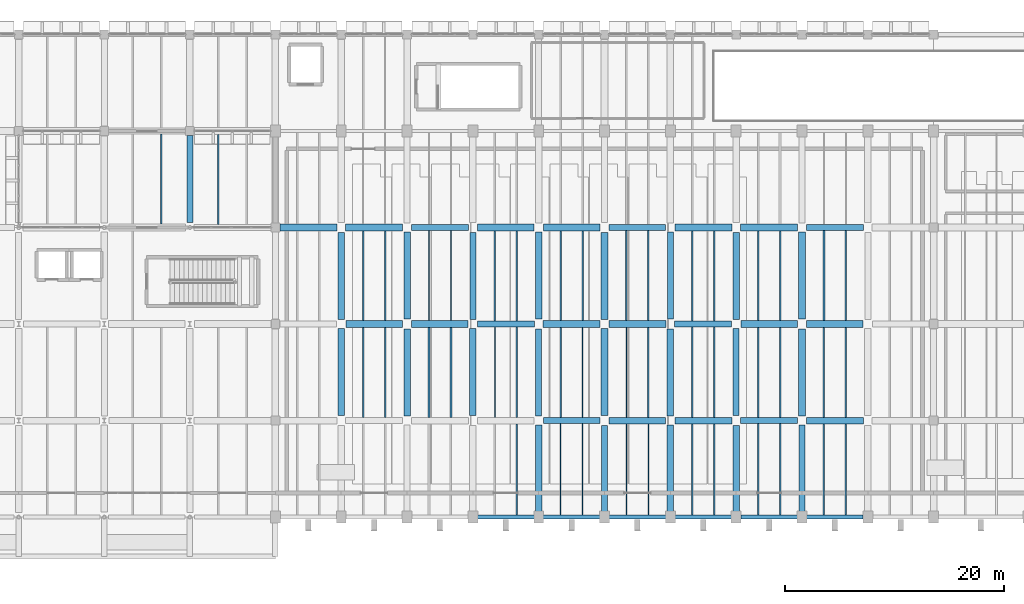
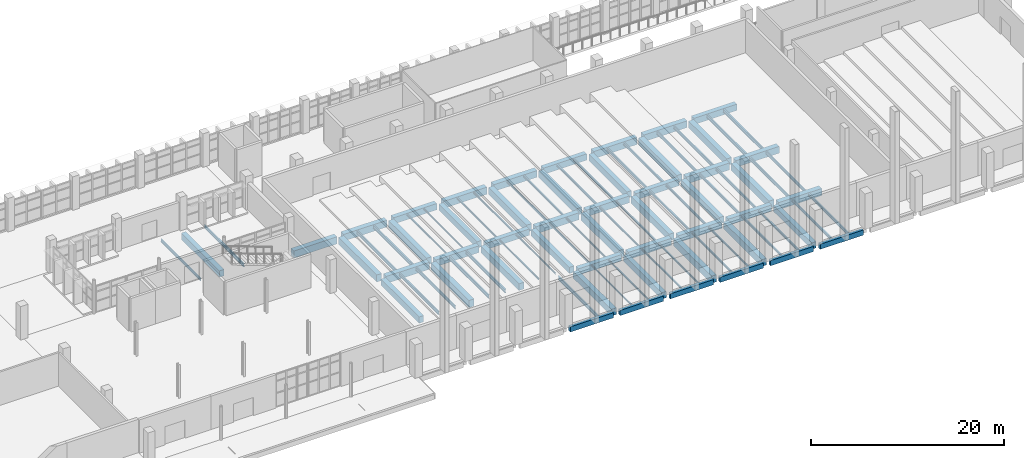
# One storey, part 27 of 76: 95 beams.
"""IFC4 building model written with IfcOpenShell, lengths in metres."""

import ifcopenshell
import ifcopenshell.guid

model = None  # the IFC model being written
_history = None  # IfcOwnerHistory: only IFC2X3 demands one
_inside = {}  # id of a spatial element -> (the spatial element, [elements in it])
_under = {}  # id of a project, library or spatial element -> (it, [spatial elements below it])
_declared = {}  # id of a project -> (the project, [libraries it declares])
_typed = {}  # id of a type object -> (the type object, [elements of that type])
_made_of = {}  # id of a material, layer set ... -> (it, [elements and type objects made of it])


def new_model(schema):
    """Start an empty IFC model of exactly this schema.

    Asked for "IFC4X3", IfcOpenShell would pick the latest addendum, in which some entities
    have other attributes; the version numbers below select the first issue.
    IFC2X3 requires an IfcOwnerHistory on every rooted entity: one is made here for all.
    """
    global model, _history
    if schema == "IFC4X3":
        model = ifcopenshell.file(schema_version=(4, 3, 0, 0))
    else:
        model = ifcopenshell.file(schema=schema)
    _inside.clear()
    _under.clear()
    _declared.clear()
    _typed.clear()
    _made_of.clear()
    _history = None
    if model.schema == "IFC2X3":
        org = make("IfcOrganization", Name="unknown")
        user = make(
            "IfcPersonAndOrganization",
            ThePerson=make("IfcPerson", FamilyName="unknown"),
            TheOrganization=org,
        )
        app = make(
            "IfcApplication",
            ApplicationDeveloper=org,
            Version="unknown",
            ApplicationFullName="unknown",
            ApplicationIdentifier="unknown",
        )
        _history = make(
            "IfcOwnerHistory",
            OwningUser=user,
            OwningApplication=app,
            ChangeAction="ADDED",
            CreationDate=0,
        )
    return model


def make(cls, **values):
    """One entity of the class cls with the attributes given. An attribute that is None is left unset."""
    return model.create_entity(
        cls, **{name: value for name, value in values.items() if value is not None}
    )


def rooted(cls, **values):
    """An entity with a GlobalId (a new one), such as an element, a storey or a relation."""
    return make(cls, GlobalId=ifcopenshell.guid.new(), OwnerHistory=_history, **values)


def si_unit(unit_type, name, prefix=None):
    """IfcSIUnit, for example si_unit("LENGTHUNIT", "METRE", prefix="MILLI")."""
    return make("IfcSIUnit", UnitType=unit_type, Prefix=prefix, Name=name)


def assignment(units):
    """IfcUnitAssignment: the units of a project."""
    return None if units is None else make("IfcUnitAssignment", Units=units)


def point(xyz):
    """IfcCartesianPoint."""
    return None if xyz is None else make("IfcCartesianPoint", Coordinates=xyz)


def direction(xyz):
    """IfcDirection."""
    return None if xyz is None else make("IfcDirection", DirectionRatios=xyz)


def frame(location, z_axis=None, x_axis=None):
    """IfcAxis2Placement3D, a coordinate frame: its origin and axes. An axis left out is left unset."""
    return make(
        "IfcAxis2Placement3D",
        Location=point(location),
        Axis=direction(z_axis),
        RefDirection=direction(x_axis),
    )


def frame_2d(location, x_axis=None):
    """IfcAxis2Placement2D, a coordinate frame in the plane: its origin and x axis."""
    return make(
        "IfcAxis2Placement2D", Location=point(location), RefDirection=direction(x_axis)
    )


def origin():
    """The frame at (0, 0, 0) with its axes left unset."""
    return frame((0.0, 0.0, 0.0))


def origin_2d():
    """The frame at (0, 0) in the plane with its x axis left unset."""
    return frame_2d((0.0, 0.0))


def place(relative_to, where):
    """IfcLocalPlacement: puts the frame where relative to a parent placement (None: the world)."""
    return make(
        "IfcLocalPlacement", PlacementRelTo=relative_to, RelativePlacement=where
    )


def context(
    kind, dimensions, precision=None, world=None, true_north=None, identifier=None
):
    """IfcGeometricRepresentationContext, for example the 3D "Model" context."""
    return make(
        "IfcGeometricRepresentationContext",
        ContextIdentifier=identifier,
        ContextType=kind,
        CoordinateSpaceDimension=dimensions,
        Precision=precision,
        WorldCoordinateSystem=world,
        TrueNorth=true_north,
    )


def subcontext(parent, identifier, kind, view, scale=None):
    """IfcGeometricRepresentationSubContext, for example "Body" below "Model"."""
    return make(
        "IfcGeometricRepresentationSubContext",
        ContextIdentifier=identifier,
        ContextType=kind,
        ParentContext=parent,
        TargetScale=scale,
        TargetView=view,
    )


def project(units=None, contexts=None):
    """IfcProject with its units and contexts."""
    return rooted(
        "IfcProject",
        Name="project",
        RepresentationContexts=contexts,
        UnitsInContext=assignment(units),
    )


def spatial(cls, under=None, at=None, **own):
    """A site, building, storey or space (cls), placed at a placement, below another one or the project."""
    s = rooted(cls, ObjectPlacement=at, **own)
    if under is not None:
        _under.setdefault(under.id(), (under, []))[1].append(s)
    return s


def profile(cls, at=None, kind="AREA", **sizes):
    """A parametric profile (cls). Its sizes go by their IFC names, for example OverallWidth=200.0."""
    return make(cls, ProfileType=kind, Position=at, **sizes)


def rectangle(**sizes):
    """IfcRectangleProfileDef."""
    return profile("IfcRectangleProfileDef", **sizes)


def i_section(**sizes):
    """IfcIShapeProfileDef."""
    return profile("IfcIShapeProfileDef", **sizes)


def extrude(swept, where, along, depth):
    """IfcExtrudedAreaSolid: the profile swept, set in the frame where, extruded along a direction by depth."""
    return make(
        "IfcExtrudedAreaSolid",
        SweptArea=swept,
        Position=where,
        ExtrudedDirection=direction(along),
        Depth=depth,
    )


def shape(context_of_items, identifier, shape_type, items):
    """IfcShapeRepresentation: the items that make up one representation, for example the "Body"."""
    return make(
        "IfcShapeRepresentation",
        ContextOfItems=context_of_items,
        RepresentationIdentifier=identifier,
        RepresentationType=shape_type,
        Items=items,
    )


def material(Name=None, Category=None):
    """IfcMaterial."""
    return make("IfcMaterial", Name=Name, Category=Category)


def material_profile(
    of_material, cross_section, Name=None, Category=None, Priority=None
):
    """IfcMaterialProfile: a cross section and its material."""
    return make(
        "IfcMaterialProfile",
        Name=Name,
        Material=of_material,
        Profile=cross_section,
        Priority=Priority,
        Category=Category,
    )


def profile_set(profiles, Name=None, composite=None):
    """IfcMaterialProfileSet."""
    return make(
        "IfcMaterialProfileSet",
        Name=Name,
        MaterialProfiles=profiles,
        CompositeProfile=composite,
    )


def made_of(thing, what):
    """Note that an element or type object is made of a material, layer set ...; save() writes the relation."""
    if what is not None:
        _made_of.setdefault(what.id(), (what, []))[1].append(thing)
    return thing


def type_object(cls, material=None, **own):
    """A type object (cls), such as IfcWallType, which elements share."""
    return made_of(rooted(cls, **own), material)


def element(
    cls,
    number,
    at=None,
    inside=None,
    cuts=None,
    type_object=None,
    material=None,
    context=None,
    identifier="Body",
    shape_type=None,
    held_by="IfcProductDefinitionShape",
    body=None,
    shapes=None,
    **own,
):
    """One element of the class cls, such as IfcWall. Its Tag is "e" and its number.

    at: its placement. inside: the storey or other place that contains it. cuts: it is an
    opening in that element (IfcRelVoidsElement). A single representation is given by context,
    identifier, shape_type and body (its items); several are given by shapes. held_by: the class
    of the entity that holds the representations. save() writes the other relations.
    """
    e = rooted(cls, Tag="e%d" % number, ObjectPlacement=at, **own)
    if body is not None:
        shapes = [shape(context, identifier, shape_type, body)]
    if shapes is not None:
        e.Representation = make(held_by, Representations=shapes)
    if inside is not None:
        _inside.setdefault(inside.id(), (inside, []))[1].append(e)
    if cuts is not None:
        rooted(
            "IfcRelVoidsElement", RelatingBuildingElement=cuts, RelatedOpeningElement=e
        )
    if type_object is not None:
        _typed.setdefault(type_object.id(), (type_object, []))[1].append(e)
    return made_of(e, material)


def aggregate(whole, parts):
    """IfcRelAggregates: a whole, such as a stair, and the parts it consists of."""
    return rooted("IfcRelAggregates", RelatingObject=whole, RelatedObjects=parts)


def save(model, path):
    """Write the relations noted so far, then the file.

    IfcRelAggregates (storeys below a building ...), IfcRelContainedInSpatialStructure (elements
    in a storey), IfcRelDefinesByType, IfcRelAssociatesMaterial and IfcRelDeclares: one each for
    every whole, place, type object, material and project.
    """
    for whole, parts in _under.values():
        aggregate(whole, parts)
    for where, things in _inside.values():
        rooted(
            "IfcRelContainedInSpatialStructure",
            RelatedElements=things,
            RelatingStructure=where,
        )
    for kind, things in _typed.values():
        rooted("IfcRelDefinesByType", RelatedObjects=things, RelatingType=kind)
    for what, things in _made_of.values():
        rooted("IfcRelAssociatesMaterial", RelatedObjects=things, RelatingMaterial=what)
    for by, libraries in _declared.values():
        rooted("IfcRelDeclares", RelatingContext=by, RelatedDefinitions=libraries)
    model.write(path)


model = new_model("IFC4")

# Units and contexts
model_context = context("Model", 3, precision=1e-05, world=origin(), true_north=direction((0.0, 1.0)))
body_context = subcontext(model_context, "Body", "Model", "MODEL_VIEW")
ifc_project = project(units=[si_unit("LENGTHUNIT", "METRE"), si_unit("AREAUNIT", "SQUARE_METRE"), si_unit("VOLUMEUNIT", "CUBIC_METRE"), si_unit("PLANEANGLEUNIT", "RADIAN"), si_unit("MASSUNIT", "GRAM", prefix="KILO")], contexts=[model_context])

# Site, building, storey
site_placement = place(None, origin())
site = spatial("IfcSite", under=ifc_project, at=site_placement, CompositionType="ELEMENT")
building_placement = place(site_placement, origin())
building = spatial("IfcBuilding", under=site, at=building_placement, Name="Varnakota Cinema and Media Centre", CompositionType="ELEMENT")
storey_placement = place(building_placement, origin())
storey = spatial("IfcBuildingStorey", under=building, at=storey_placement, Name="L00", CompositionType="ELEMENT", Elevation=0.0)

# Beams
ifc_material_1 = material(Name="Concrete M35", Category="concrete")
ifc_material_profile_1 = material_profile(ifc_material_1, rectangle(XDim=0.550048828125, YDim=0.800048828125, at=origin_2d()), Name="RCB 550x800")
ifc_profile_set_1 = profile_set([ifc_material_profile_1], Name="Concrete M35")
beam_type_1 = type_object("IfcBeamType", Name="BM-RC-550x800", PredefinedType="BEAM", material=ifc_profile_set_1)
for number, where, z_axis, x_axis, name in (
    (1, (99.425048828125, 8.800048828125, -0.679931640625), (1.0, 0.0, 0.0), (0.0, 1.0, 0.0), "L00 girder P-Q/2"),
    (2, (117.39990234375, 8.800048828125, -0.679931640625), (1.0, 0.0, 0.0), (0.0, 1.0, 0.0), "L00 girder S-T/2"),
    (3, (93.425048828125, 17.60009765625, -0.679931640625), (1.0, 0.0, 0.0), (0.0, 1.0, 0.0), "L00 girder N-P/3"),
    (4, (111.39990234375, 17.60009765625, -0.679931640625), (1.0, 0.0, 0.0), (0.0, 1.0, 0.0), "L00 girder R-S/3"),
    (5, (87.425048828125, 26.39990234375, -0.679931640625), (1.0, 0.0, 0.0), (0.0, 1.0, 0.0), "L00 girder M-N/4"),
    (6, (105.39990234375, 26.39990234375, -0.679931640625), (1.0, 0.0, 0.0), (0.0, 1.0, 0.0), "L00 girder Q-R/4"),
    (7, (123.425048828125, 26.39990234375, -0.679931640625), (1.0, 0.0, 0.0), (0.0, 1.0, 0.0), "L00 girder T-U/4"),
):
    element("IfcBeam", number, at=place(storey_placement, frame(where, z_axis=z_axis, x_axis=x_axis)), inside=storey, type_object=beam_type_1, Name=name, PredefinedType="BEAM", context=body_context, shape_type="SweptSolid", body=[
        extrude(rectangle(XDim=0.550048828125, YDim=0.800048828125, at=origin_2d()), origin(), (0.0, 0.0, 1.0), 5.175048828125),
    ])
beam_1_placement = place(storey_placement, frame((67.199951171875, 26.85009765625, -0.679931640625), z_axis=(0.0, 1.0, 0.0), x_axis=(-1.0, 0.0, 0.0)))
element("IfcBeam", 8, at=beam_1_placement, inside=storey, type_object=beam_type_1, Name="L00 girder J/4-5", PredefinedType="BEAM", context=body_context, shape_type="SweptSolid", body=[
    extrude(rectangle(XDim=0.550048828125, YDim=0.800048828125, at=origin_2d()), origin(), (0.0, 0.0, 1.0), 7.9248046875),
])
for number, where, z_axis, x_axis, name in (
    (9, (81.0, 9.25, -0.679931640625), (0.0, 1.0, 0.0), (-1.0, 0.0, 0.0), "L00 girder L/2-3"),
    (10, (93.0, 18.02490234375, -0.679931640625), (0.0, 1.0, 0.0), (-1.0, 0.0, 0.0), "L00 girder N/3-4"),
):
    element("IfcBeam", number, at=place(storey_placement, frame(where, z_axis=z_axis, x_axis=x_axis)), inside=storey, type_object=beam_type_1, Name=name, PredefinedType="BEAM", context=body_context, shape_type="SweptSolid", body=[
        extrude(rectangle(XDim=0.550048828125, YDim=0.800048828125, at=origin_2d()), origin(), (0.0, 0.0, 1.0), 7.925048828125),
    ])
beam_2_placement = place(storey_placement, frame((99.0, 9.22509765625, -0.679931640625), z_axis=(0.0, 1.0, 0.0), x_axis=(-1.0, 0.0, 0.0)))
element("IfcBeam", 11, at=beam_2_placement, inside=storey, type_object=beam_type_1, Name="L00 girder P/2-3", PredefinedType="BEAM", context=body_context, shape_type="SweptSolid", body=[
    extrude(rectangle(XDim=0.550048828125, YDim=0.800048828125, at=origin_2d()), origin(), (0.0, 0.0, 1.0), 7.9248046875),
])
for number, where, z_axis, x_axis, name in (
    (12, (105.0, 0.425048828125, -0.679931640625), (0.0, 1.0, 0.0), (-1.0, 0.0, 0.0), "L00 girder Q/1-2"),
    (13, (111.0, 18.050048828125, -0.679931640625), (0.0, 1.0, 0.0), (-1.0, 0.0, 0.0), "L00 girder R/3-4"),
    (14, (117.0, 9.25, -0.679931640625), (0.0, 1.0, 0.0), (-1.0, 0.0, 0.0), "L00 girder S/2-3"),
    (15, (123.0, 0.449951171875, -0.679931640625), (0.0, 1.0, 0.0), (-1.0, 0.0, 0.0), "L00 girder T/1-2"),
):
    element("IfcBeam", number, at=place(storey_placement, frame(where, z_axis=z_axis, x_axis=x_axis)), inside=storey, type_object=beam_type_1, Name=name, PredefinedType="BEAM", context=body_context, shape_type="SweptSolid", body=[
        extrude(rectangle(XDim=0.550048828125, YDim=0.800048828125, at=origin_2d()), origin(), (0.0, 0.0, 1.0), 7.925048828125),
    ])
ifc_material_2 = material(Name="Concrete M35", Category="concrete")
ifc_material_profile_2 = material_profile(ifc_material_2, rectangle(XDim=0.60009765625, YDim=0.85009765625, at=origin_2d()), Name="RCB 600x850")
ifc_profile_set_2 = profile_set([ifc_material_profile_2], Name="Concrete M35")
beam_type_2 = type_object("IfcBeamType", Name="BM-RC-600x850", PredefinedType="BEAM", material=ifc_profile_set_2)
for number, where, z_axis, x_axis, name in (
    (16, (111.425048828125, 8.800048828125, -0.705078125), (1.0, 0.0, 0.0), (0.0, 1.0, 0.0), "L00 girder R-S/2"),
    (17, (87.39990234375, 17.60009765625, -0.705078125), (1.0, 0.0, 0.0), (0.0, 1.0, 0.0), "L00 girder M-N/3"),
    (18, (105.425048828125, 17.60009765625, -0.705078125), (1.0, 0.0, 0.0), (0.0, 1.0, 0.0), "L00 girder Q-R/3"),
    (19, (123.39990234375, 17.60009765625, -0.705078125), (1.0, 0.0, 0.0), (0.0, 1.0, 0.0), "L00 girder T-U/3"),
    (20, (81.39990234375, 26.39990234375, -0.705078125), (1.0, 0.0, 0.0), (0.0, 1.0, 0.0), "L00 girder L-M/4"),
    (21, (99.425048828125, 26.39990234375, -0.705078125), (1.0, 0.0, 0.0), (0.0, 1.0, 0.0), "L00 girder P-Q/4"),
    (22, (117.39990234375, 26.39990234375, -0.705078125), (1.0, 0.0, 0.0), (0.0, 1.0, 0.0), "L00 girder S-T/4"),
):
    element("IfcBeam", number, at=place(storey_placement, frame(where, z_axis=z_axis, x_axis=x_axis)), inside=storey, type_object=beam_type_2, Name=name, PredefinedType="BEAM", context=body_context, shape_type="SweptSolid", body=[
        extrude(rectangle(XDim=0.60009765625, YDim=0.85009765625, at=origin_2d()), origin(), (0.0, 0.0, 1.0), 5.175048828125),
    ])
for number, where, z_axis, x_axis, name in (
    (23, (87.0, 18.050048828125, -0.705078125), (0.0, 1.0, 0.0), (-1.0, 0.0, 0.0), "L00 girder M/3-4"),
    (24, (93.0, 9.25, -0.705078125), (0.0, 1.0, 0.0), (-1.0, 0.0, 0.0), "L00 girder N/2-3"),
    (25, (99.0, 0.449951171875, -0.705078125), (0.0, 1.0, 0.0), (-1.0, 0.0, 0.0), "L00 girder P/1-2"),
    (26, (105.0, 18.02490234375, -0.705078125), (0.0, 1.0, 0.0), (-1.0, 0.0, 0.0), "L00 girder Q/3-4"),
):
    element("IfcBeam", number, at=place(storey_placement, frame(where, z_axis=z_axis, x_axis=x_axis)), inside=storey, type_object=beam_type_2, Name=name, PredefinedType="BEAM", context=body_context, shape_type="SweptSolid", body=[
        extrude(rectangle(XDim=0.60009765625, YDim=0.85009765625, at=origin_2d()), origin(), (0.0, 0.0, 1.0), 7.925048828125),
    ])
beam_3_placement = place(storey_placement, frame((111.0, 9.22509765625, -0.705078125), z_axis=(0.0, 1.0, 0.0), x_axis=(-1.0, 0.0, 0.0)))
element("IfcBeam", 27, at=beam_3_placement, inside=storey, type_object=beam_type_2, Name="L00 girder R/2-3", PredefinedType="BEAM", context=body_context, shape_type="SweptSolid", body=[
    extrude(rectangle(XDim=0.60009765625, YDim=0.85009765625, at=origin_2d()), origin(), (0.0, 0.0, 1.0), 7.9248046875),
])
for number, where, z_axis, x_axis, name in (
    (28, (117.0, 0.425048828125, -0.705078125), (0.0, 1.0, 0.0), (-1.0, 0.0, 0.0), "L00 girder S/1-2"),
    (29, (123.0, 18.050048828125, -0.705078125), (0.0, 1.0, 0.0), (-1.0, 0.0, 0.0), "L00 girder T/3-4"),
):
    element("IfcBeam", number, at=place(storey_placement, frame(where, z_axis=z_axis, x_axis=x_axis)), inside=storey, type_object=beam_type_2, Name=name, PredefinedType="BEAM", context=body_context, shape_type="SweptSolid", body=[
        extrude(rectangle(XDim=0.60009765625, YDim=0.85009765625, at=origin_2d()), origin(), (0.0, 0.0, 1.0), 7.925048828125),
    ])
ifc_material_3 = material(Name="Concrete M40", Category="concrete")
ifc_material_profile_3 = material_profile(ifc_material_3, rectangle(XDim=0.60009765625, YDim=0.89990234375, at=origin_2d()), Name="RCB 600x900")
ifc_profile_set_3 = profile_set([ifc_material_profile_3], Name="Concrete M40")
beam_type_3 = type_object("IfcBeamType", Name="BM-RC-600x900", PredefinedType="BEAM", material=ifc_profile_set_3)
for number, where, z_axis, x_axis, name in (
    (30, (105.39990234375, 8.800048828125, -0.72998046875), (1.0, 0.0, 0.0), (0.0, 1.0, 0.0), "L00 girder Q-R/2"),
    (31, (123.425048828125, 8.800048828125, -0.72998046875), (1.0, 0.0, 0.0), (0.0, 1.0, 0.0), "L00 girder T-U/2"),
    (32, (81.425048828125, 17.60009765625, -0.72998046875), (1.0, 0.0, 0.0), (0.0, 1.0, 0.0), "L00 girder L-M/3"),
    (33, (99.39990234375, 17.60009765625, -0.72998046875), (1.0, 0.0, 0.0), (0.0, 1.0, 0.0), "L00 girder P-Q/3"),
    (34, (117.425048828125, 17.60009765625, -0.72998046875), (1.0, 0.0, 0.0), (0.0, 1.0, 0.0), "L00 girder S-T/3"),
    (35, (75.425048828125, 26.39990234375, -0.72998046875), (1.0, 0.0, 0.0), (0.0, 1.0, 0.0), "L00 girder K-L/4"),
    (36, (93.39990234375, 26.39990234375, -0.72998046875), (1.0, 0.0, 0.0), (0.0, 1.0, 0.0), "L00 girder N-P/4"),
    (37, (111.425048828125, 26.39990234375, -0.72998046875), (1.0, 0.0, 0.0), (0.0, 1.0, 0.0), "L00 girder R-S/4"),
):
    element("IfcBeam", number, at=place(storey_placement, frame(where, z_axis=z_axis, x_axis=x_axis)), inside=storey, type_object=beam_type_3, Name=name, PredefinedType="BEAM", context=body_context, shape_type="SweptSolid", body=[
        extrude(rectangle(XDim=0.60009765625, YDim=0.89990234375, at=origin_2d()), origin(), (0.0, 0.0, 1.0), 5.175048828125),
    ])
beam_4_placement = place(storey_placement, frame((81.0, 18.02490234375, -0.72998046875), z_axis=(0.0, 1.0, 0.0), x_axis=(-1.0, 0.0, 0.0)))
element("IfcBeam", 38, at=beam_4_placement, inside=storey, type_object=beam_type_3, Name="L00 girder L/3-4", PredefinedType="BEAM", context=body_context, shape_type="SweptSolid", body=[
    extrude(rectangle(XDim=0.60009765625, YDim=0.89990234375, at=origin_2d()), origin(), (0.0, 0.0, 1.0), 7.925048828125),
])
beam_5_placement = place(storey_placement, frame((87.0, 9.22509765625, -0.72998046875), z_axis=(0.0, 1.0, 0.0), x_axis=(-1.0, 0.0, 0.0)))
element("IfcBeam", 39, at=beam_5_placement, inside=storey, type_object=beam_type_3, Name="L00 girder M/2-3", PredefinedType="BEAM", context=body_context, shape_type="SweptSolid", body=[
    extrude(rectangle(XDim=0.60009765625, YDim=0.89990234375, at=origin_2d()), origin(), (0.0, 0.0, 1.0), 7.9248046875),
])
for number, where, z_axis, x_axis, name in (
    (40, (99.0, 18.050048828125, -0.72998046875), (0.0, 1.0, 0.0), (-1.0, 0.0, 0.0), "L00 girder P/3-4"),
    (41, (105.0, 9.25, -0.72998046875), (0.0, 1.0, 0.0), (-1.0, 0.0, 0.0), "L00 girder Q/2-3"),
    (42, (111.0, 0.449951171875, -0.72998046875), (0.0, 1.0, 0.0), (-1.0, 0.0, 0.0), "L00 girder R/1-2"),
    (43, (117.0, 18.02490234375, -0.72998046875), (0.0, 1.0, 0.0), (-1.0, 0.0, 0.0), "L00 girder S/3-4"),
):
    element("IfcBeam", number, at=place(storey_placement, frame(where, z_axis=z_axis, x_axis=x_axis)), inside=storey, type_object=beam_type_3, Name=name, PredefinedType="BEAM", context=body_context, shape_type="SweptSolid", body=[
        extrude(rectangle(XDim=0.60009765625, YDim=0.89990234375, at=origin_2d()), origin(), (0.0, 0.0, 1.0), 7.925048828125),
    ])
beam_6_placement = place(storey_placement, frame((123.0, 9.22509765625, -0.72998046875), z_axis=(0.0, 1.0, 0.0), x_axis=(-1.0, 0.0, 0.0)))
element("IfcBeam", 44, at=beam_6_placement, inside=storey, type_object=beam_type_3, Name="L00 girder T/2-3", PredefinedType="BEAM", context=body_context, shape_type="SweptSolid", body=[
    extrude(rectangle(XDim=0.60009765625, YDim=0.89990234375, at=origin_2d()), origin(), (0.0, 0.0, 1.0), 7.9248046875),
])
ifc_material_4 = material(Name="Concrete M40", Category="concrete")
ifc_material_profile_4 = material_profile(ifc_material_4, rectangle(XDim=0.35009765625, YDim=0.64990234375, at=origin_2d()), Name="RCB 350x650")
ifc_profile_set_4 = profile_set([ifc_material_profile_4], Name="Concrete M40")
beam_type_4 = type_object("IfcBeamType", Name="BM-SP-350x650", PredefinedType="SPANDREL", material=ifc_profile_set_4)
for number, where, z_axis, x_axis, name in (
    (45, (93.425048828125, 0.0, -0.60498046875), (1.0, 0.0, 0.0), (0.0, 1.0, 0.0), "L00 girder N-P/1"),
    (46, (99.39990234375, 0.0, -0.60498046875), (1.0, 0.0, 0.0), (0.0, 1.0, 0.0), "L00 girder P-Q/1"),
    (47, (105.425048828125, 0.0, -0.60498046875), (1.0, 0.0, 0.0), (0.0, 1.0, 0.0), "L00 girder Q-R/1"),
    (48, (111.39990234375, 0.0, -0.60498046875), (1.0, 0.0, 0.0), (0.0, 1.0, 0.0), "L00 girder R-S/1"),
    (49, (117.425048828125, 0.0, -0.60498046875), (1.0, 0.0, 0.0), (0.0, 1.0, 0.0), "L00 girder S-T/1"),
    (50, (123.39990234375, 0.0, -0.60498046875), (1.0, 0.0, 0.0), (0.0, 1.0, 0.0), "L00 girder T-U/1"),
):
    element("IfcBeam", number, at=place(storey_placement, frame(where, z_axis=z_axis, x_axis=x_axis)), inside=storey, type_object=beam_type_4, Name=name, PredefinedType="SPANDREL", context=body_context, shape_type="SweptSolid", body=[
        extrude(rectangle(XDim=0.35009765625, YDim=0.64990234375, at=origin_2d()), origin(), (0.0, 0.0, 1.0), 5.175048828125),
    ])
ifc_material_5 = material(Name="Structural steel Grade 350 (E350)", Category="steel")
ifc_material_profile_5 = material_profile(ifc_material_5, i_section(OverallWidth=0.10009765625, OverallDepth=0.199951171875, WebThickness=0.005615234375, FlangeThickness=0.0107421875, FilletRadius=0.010986328125, at=origin_2d()), Name="ISMB 200")
ifc_profile_set_5 = profile_set([ifc_material_profile_5], Name="Structural steel Grade 350 (E350)")
beam_type_5 = type_object("IfcBeamType", Name="BM-ST-ISMB200", PredefinedType="JOIST", material=ifc_profile_set_5)
for number, where, z_axis, x_axis, name in (
    (51, (89.0, 17.89990234375, -0.3798828125), (0.0, 1.0, 0.0), (-1.0, 0.0, 0.0), "L00 steel joist M-N/3-4 #1"),
    (52, (91.0, 17.89990234375, -0.3798828125), (0.0, 1.0, 0.0), (-1.0, 0.0, 0.0), "L00 steel joist M-N/3-4 #2"),
):
    element("IfcBeam", number, at=place(storey_placement, frame(where, z_axis=z_axis, x_axis=x_axis)), inside=storey, type_object=beam_type_5, Name=name, PredefinedType="JOIST", context=body_context, shape_type="SweptSolid", body=[
        extrude(i_section(OverallWidth=0.10009765625, OverallDepth=0.199951171875, WebThickness=0.005615234375, FlangeThickness=0.0107421875, FilletRadius=0.010986328125, at=origin_2d()), origin(), (0.0, 0.0, 1.0), 8.22509765625),
    ])
for number, where, z_axis, x_axis, name in (
    (53, (95.0, 9.10009765625, -0.3798828125), (0.0, 1.0, 0.0), (-1.0, 0.0, 0.0), "L00 steel joist N-P/2-3 #1"),
    (54, (97.0, 9.10009765625, -0.3798828125), (0.0, 1.0, 0.0), (-1.0, 0.0, 0.0), "L00 steel joist N-P/2-3 #2"),
):
    element("IfcBeam", number, at=place(storey_placement, frame(where, z_axis=z_axis, x_axis=x_axis)), inside=storey, type_object=beam_type_5, Name=name, PredefinedType="JOIST", context=body_context, shape_type="SweptSolid", body=[
        extrude(i_section(OverallWidth=0.10009765625, OverallDepth=0.199951171875, WebThickness=0.005615234375, FlangeThickness=0.0107421875, FilletRadius=0.010986328125, at=origin_2d()), origin(), (0.0, 0.0, 1.0), 8.224853515625),
    ])
for number, where, z_axis, x_axis, name in (
    (55, (101.0, 0.175048828125, -0.3798828125), (0.0, 1.0, 0.0), (-1.0, 0.0, 0.0), "L00 steel joist P-Q/1-2 #1"),
    (56, (103.0, 0.175048828125, -0.3798828125), (0.0, 1.0, 0.0), (-1.0, 0.0, 0.0), "L00 steel joist P-Q/1-2 #2"),
):
    element("IfcBeam", number, at=place(storey_placement, frame(where, z_axis=z_axis, x_axis=x_axis)), inside=storey, type_object=beam_type_5, Name=name, PredefinedType="JOIST", context=body_context, shape_type="SweptSolid", body=[
        extrude(i_section(OverallWidth=0.10009765625, OverallDepth=0.199951171875, WebThickness=0.005615234375, FlangeThickness=0.0107421875, FilletRadius=0.010986328125, at=origin_2d()), origin(), (0.0, 0.0, 1.0), 8.349853515625),
    ])
ifc_material_6 = material(Name="Structural steel Grade 350 (E350)", Category="steel")
ifc_material_profile_6 = material_profile(ifc_material_6, i_section(OverallWidth=0.110107421875, OverallDepth=0.22509765625, WebThickness=0.006591796875, FlangeThickness=0.01171875, FilletRadius=0.011962890625, at=origin_2d()), Name="ISMB 225")
ifc_profile_set_6 = profile_set([ifc_material_profile_6], Name="Structural steel Grade 350 (E350)")
beam_type_6 = type_object("IfcBeamType", Name="BM-ST-ISMB225", PredefinedType="JOIST", material=ifc_profile_set_6)
for number, where, z_axis, x_axis, name in (
    (57, (95.0, 17.875, -0.392578125), (0.0, 1.0, 0.0), (-1.0, 0.0, 0.0), "L00 steel joist N-P/3-4 #1"),
    (58, (97.0, 17.875, -0.392578125), (0.0, 1.0, 0.0), (-1.0, 0.0, 0.0), "L00 steel joist N-P/3-4 #2"),
    (59, (101.0, 9.074951171875, -0.392578125), (0.0, 1.0, 0.0), (-1.0, 0.0, 0.0), "L00 steel joist P-Q/2-3 #1"),
    (60, (103.0, 9.074951171875, -0.392578125), (0.0, 1.0, 0.0), (-1.0, 0.0, 0.0), "L00 steel joist P-Q/2-3 #2"),
):
    element("IfcBeam", number, at=place(storey_placement, frame(where, z_axis=z_axis, x_axis=x_axis)), inside=storey, type_object=beam_type_6, Name=name, PredefinedType="JOIST", context=body_context, shape_type="SweptSolid", body=[
        extrude(i_section(OverallWidth=0.110107421875, OverallDepth=0.22509765625, WebThickness=0.006591796875, FlangeThickness=0.01171875, FilletRadius=0.011962890625, at=origin_2d()), origin(), (0.0, 0.0, 1.0), 8.22509765625),
    ])
for number, where, z_axis, x_axis, name in (
    (61, (107.0, 0.175048828125, -0.392578125), (0.0, 1.0, 0.0), (-1.0, 0.0, 0.0), "L00 steel joist Q-R/1-2 #1"),
    (62, (109.0, 0.175048828125, -0.392578125), (0.0, 1.0, 0.0), (-1.0, 0.0, 0.0), "L00 steel joist Q-R/1-2 #2"),
):
    element("IfcBeam", number, at=place(storey_placement, frame(where, z_axis=z_axis, x_axis=x_axis)), inside=storey, type_object=beam_type_6, Name=name, PredefinedType="JOIST", context=body_context, shape_type="SweptSolid", body=[
        extrude(i_section(OverallWidth=0.110107421875, OverallDepth=0.22509765625, WebThickness=0.006591796875, FlangeThickness=0.01171875, FilletRadius=0.011962890625, at=origin_2d()), origin(), (0.0, 0.0, 1.0), 8.324951171875),
    ])
ifc_material_7 = material(Name="Structural steel Grade 350 (E350)", Category="steel")
ifc_material_profile_7 = material_profile(ifc_material_7, i_section(OverallWidth=0.125, OverallDepth=0.25, WebThickness=0.0068359375, FlangeThickness=0.012451171875, FilletRadius=0.012939453125, at=origin_2d()), Name="ISMB 250")
ifc_profile_set_7 = profile_set([ifc_material_profile_7], Name="Structural steel Grade 350 (E350)")
beam_type_7 = type_object("IfcBeamType", Name="BM-ST-ISMB250", PredefinedType="JOIST", material=ifc_profile_set_7)
for number, where, z_axis, x_axis, name in (
    (63, (101.0, 17.89990234375, -0.405029296875), (0.0, 1.0, 0.0), (-1.0, 0.0, 0.0), "L00 steel joist P-Q/3-4 #1"),
    (64, (103.0, 17.89990234375, -0.405029296875), (0.0, 1.0, 0.0), (-1.0, 0.0, 0.0), "L00 steel joist P-Q/3-4 #2"),
):
    element("IfcBeam", number, at=place(storey_placement, frame(where, z_axis=z_axis, x_axis=x_axis)), inside=storey, type_object=beam_type_7, Name=name, PredefinedType="JOIST", context=body_context, shape_type="SweptSolid", body=[
        extrude(i_section(OverallWidth=0.125, OverallDepth=0.25, WebThickness=0.0068359375, FlangeThickness=0.012451171875, FilletRadius=0.012939453125, at=origin_2d()), origin(), (0.0, 0.0, 1.0), 8.2001953125),
    ])
for number, where, z_axis, x_axis, name in (
    (65, (107.0, 9.10009765625, -0.405029296875), (0.0, 1.0, 0.0), (-1.0, 0.0, 0.0), "L00 steel joist Q-R/2-3 #1"),
    (66, (109.0, 9.10009765625, -0.405029296875), (0.0, 1.0, 0.0), (-1.0, 0.0, 0.0), "L00 steel joist Q-R/2-3 #2"),
):
    element("IfcBeam", number, at=place(storey_placement, frame(where, z_axis=z_axis, x_axis=x_axis)), inside=storey, type_object=beam_type_7, Name=name, PredefinedType="JOIST", context=body_context, shape_type="SweptSolid", body=[
        extrude(i_section(OverallWidth=0.125, OverallDepth=0.25, WebThickness=0.0068359375, FlangeThickness=0.012451171875, FilletRadius=0.012939453125, at=origin_2d()), origin(), (0.0, 0.0, 1.0), 8.199951171875),
    ])
for number, where, z_axis, x_axis, name in (
    (67, (113.0, 0.175048828125, -0.405029296875), (0.0, 1.0, 0.0), (-1.0, 0.0, 0.0), "L00 steel joist R-S/1-2 #1"),
    (68, (115.0, 0.175048828125, -0.405029296875), (0.0, 1.0, 0.0), (-1.0, 0.0, 0.0), "L00 steel joist R-S/1-2 #2"),
):
    element("IfcBeam", number, at=place(storey_placement, frame(where, z_axis=z_axis, x_axis=x_axis)), inside=storey, type_object=beam_type_7, Name=name, PredefinedType="JOIST", context=body_context, shape_type="SweptSolid", body=[
        extrude(i_section(OverallWidth=0.125, OverallDepth=0.25, WebThickness=0.0068359375, FlangeThickness=0.012451171875, FilletRadius=0.012939453125, at=origin_2d()), origin(), (0.0, 0.0, 1.0), 8.324951171875),
    ])
ifc_material_8 = material(Name="Structural steel Grade 350 (E350)", Category="steel")
ifc_material_profile_8 = material_profile(ifc_material_8, i_section(OverallWidth=0.139892578125, OverallDepth=0.300048828125, WebThickness=0.0078125, FlangeThickness=0.01318359375, FilletRadius=0.013916015625, at=origin_2d()), Name="ISMB 300")
ifc_profile_set_8 = profile_set([ifc_material_profile_8], Name="Structural steel Grade 350 (E350)")
beam_type_8 = type_object("IfcBeamType", Name="BM-ST-ISMB300", PredefinedType="JOIST", material=ifc_profile_set_8)
for number, where, z_axis, x_axis, name in (
    (69, (107.0, 17.89990234375, -0.429931640625), (0.0, 1.0, 0.0), (-1.0, 0.0, 0.0), "L00 steel joist Q-R/3-4 #1"),
    (70, (109.0, 17.89990234375, -0.429931640625), (0.0, 1.0, 0.0), (-1.0, 0.0, 0.0), "L00 steel joist Q-R/3-4 #2"),
):
    element("IfcBeam", number, at=place(storey_placement, frame(where, z_axis=z_axis, x_axis=x_axis)), inside=storey, type_object=beam_type_8, Name=name, PredefinedType="JOIST", context=body_context, shape_type="SweptSolid", body=[
        extrude(i_section(OverallWidth=0.139892578125, OverallDepth=0.300048828125, WebThickness=0.0078125, FlangeThickness=0.01318359375, FilletRadius=0.013916015625, at=origin_2d()), origin(), (0.0, 0.0, 1.0), 8.22509765625),
    ])
for number, where, z_axis, x_axis, name in (
    (71, (113.0, 9.10009765625, -0.429931640625), (0.0, 1.0, 0.0), (-1.0, 0.0, 0.0), "L00 steel joist R-S/2-3 #1"),
    (72, (115.0, 9.10009765625, -0.429931640625), (0.0, 1.0, 0.0), (-1.0, 0.0, 0.0), "L00 steel joist R-S/2-3 #2"),
):
    element("IfcBeam", number, at=place(storey_placement, frame(where, z_axis=z_axis, x_axis=x_axis)), inside=storey, type_object=beam_type_8, Name=name, PredefinedType="JOIST", context=body_context, shape_type="SweptSolid", body=[
        extrude(i_section(OverallWidth=0.139892578125, OverallDepth=0.300048828125, WebThickness=0.0078125, FlangeThickness=0.01318359375, FilletRadius=0.013916015625, at=origin_2d()), origin(), (0.0, 0.0, 1.0), 8.224853515625),
    ])
for number, where, z_axis, x_axis, name in (
    (73, (119.0, 0.175048828125, -0.429931640625), (0.0, 1.0, 0.0), (-1.0, 0.0, 0.0), "L00 steel joist S-T/1-2 #1"),
    (74, (121.0, 0.175048828125, -0.429931640625), (0.0, 1.0, 0.0), (-1.0, 0.0, 0.0), "L00 steel joist S-T/1-2 #2"),
):
    element("IfcBeam", number, at=place(storey_placement, frame(where, z_axis=z_axis, x_axis=x_axis)), inside=storey, type_object=beam_type_8, Name=name, PredefinedType="JOIST", context=body_context, shape_type="SweptSolid", body=[
        extrude(i_section(OverallWidth=0.139892578125, OverallDepth=0.300048828125, WebThickness=0.0078125, FlangeThickness=0.01318359375, FilletRadius=0.013916015625, at=origin_2d()), origin(), (0.0, 0.0, 1.0), 8.349853515625),
    ])
ifc_material_9 = material(Name="Structural steel Grade 350 (E350)", Category="steel")
ifc_material_profile_9 = material_profile(ifc_material_9, i_section(OverallWidth=0.139892578125, OverallDepth=0.35009765625, WebThickness=0.008056640625, FlangeThickness=0.01416015625, FilletRadius=0.013916015625, at=origin_2d()), Name="ISMB 350")
ifc_profile_set_9 = profile_set([ifc_material_profile_9], Name="Structural steel Grade 350 (E350)")
beam_type_9 = type_object("IfcBeamType", Name="BM-ST-ISMB350", PredefinedType="JOIST", material=ifc_profile_set_9)
for number, where, z_axis, x_axis, name in (
    (75, (64.60009765625, 26.699951171875, -0.455078125), (0.0, 1.0, 0.0), (-1.0, 0.0, 0.0), "L00 steel joist H-J/4-5 #2"),
    (76, (113.0, 17.875, -0.455078125), (0.0, 1.0, 0.0), (-1.0, 0.0, 0.0), "L00 steel joist R-S/3-4 #1"),
    (77, (115.0, 17.875, -0.455078125), (0.0, 1.0, 0.0), (-1.0, 0.0, 0.0), "L00 steel joist R-S/3-4 #2"),
    (78, (119.0, 9.074951171875, -0.455078125), (0.0, 1.0, 0.0), (-1.0, 0.0, 0.0), "L00 steel joist S-T/2-3 #1"),
    (79, (121.0, 9.074951171875, -0.455078125), (0.0, 1.0, 0.0), (-1.0, 0.0, 0.0), "L00 steel joist S-T/2-3 #2"),
):
    element("IfcBeam", number, at=place(storey_placement, frame(where, z_axis=z_axis, x_axis=x_axis)), inside=storey, type_object=beam_type_9, Name=name, PredefinedType="JOIST", context=body_context, shape_type="SweptSolid", body=[
        extrude(i_section(OverallWidth=0.139892578125, OverallDepth=0.35009765625, WebThickness=0.008056640625, FlangeThickness=0.01416015625, FilletRadius=0.013916015625, at=origin_2d()), origin(), (0.0, 0.0, 1.0), 8.22509765625),
    ])
for number, where, z_axis, x_axis, name in (
    (80, (125.0, 0.175048828125, -0.455078125), (0.0, 1.0, 0.0), (-1.0, 0.0, 0.0), "L00 steel joist T-U/1-2 #1"),
    (81, (127.0, 0.175048828125, -0.455078125), (0.0, 1.0, 0.0), (-1.0, 0.0, 0.0), "L00 steel joist T-U/1-2 #2"),
):
    element("IfcBeam", number, at=place(storey_placement, frame(where, z_axis=z_axis, x_axis=x_axis)), inside=storey, type_object=beam_type_9, Name=name, PredefinedType="JOIST", context=body_context, shape_type="SweptSolid", body=[
        extrude(i_section(OverallWidth=0.139892578125, OverallDepth=0.35009765625, WebThickness=0.008056640625, FlangeThickness=0.01416015625, FilletRadius=0.013916015625, at=origin_2d()), origin(), (0.0, 0.0, 1.0), 8.324951171875),
    ])
ifc_material_10 = material(Name="Structural steel Grade 350 (E350)", Category="steel")
ifc_material_profile_10 = material_profile(ifc_material_10, i_section(OverallWidth=0.139892578125, OverallDepth=0.39990234375, WebThickness=0.0087890625, FlangeThickness=0.01611328125, FilletRadius=0.013916015625, at=origin_2d()), Name="ISMB 400")
ifc_profile_set_10 = profile_set([ifc_material_profile_10], Name="Structural steel Grade 350 (E350)")
beam_type_10 = type_object("IfcBeamType", Name="BM-ST-ISMB400", PredefinedType="JOIST", material=ifc_profile_set_10)
beam_7_placement = place(storey_placement, frame((69.800048828125, 26.675048828125, -0.47998046875), z_axis=(0.0, 1.0, 0.0), x_axis=(-1.0, 0.0, 0.0)))
element("IfcBeam", 82, at=beam_7_placement, inside=storey, type_object=beam_type_10, Name="L00 steel joist J-K/4-5 #1", PredefinedType="JOIST", context=body_context, shape_type="SweptSolid", body=[
    extrude(i_section(OverallWidth=0.139892578125, OverallDepth=0.39990234375, WebThickness=0.0087890625, FlangeThickness=0.01611328125, FilletRadius=0.013916015625, at=origin_2d()), origin(), (0.0, 0.0, 1.0), 8.224853515625),
])
for number, where, z_axis, x_axis, name in (
    (83, (83.0, 9.074951171875, -0.47998046875), (0.0, 1.0, 0.0), (-1.0, 0.0, 0.0), "L00 steel joist L-M/2-3 #1"),
    (84, (85.0, 9.074951171875, -0.47998046875), (0.0, 1.0, 0.0), (-1.0, 0.0, 0.0), "L00 steel joist L-M/2-3 #2"),
):
    element("IfcBeam", number, at=place(storey_placement, frame(where, z_axis=z_axis, x_axis=x_axis)), inside=storey, type_object=beam_type_10, Name=name, PredefinedType="JOIST", context=body_context, shape_type="SweptSolid", body=[
        extrude(i_section(OverallWidth=0.139892578125, OverallDepth=0.39990234375, WebThickness=0.0087890625, FlangeThickness=0.01611328125, FilletRadius=0.013916015625, at=origin_2d()), origin(), (0.0, 0.0, 1.0), 8.22509765625),
    ])
for number, where, z_axis, x_axis, name in (
    (85, (119.0, 17.89990234375, -0.47998046875), (0.0, 1.0, 0.0), (-1.0, 0.0, 0.0), "L00 steel joist S-T/3-4 #1"),
    (86, (121.0, 17.89990234375, -0.47998046875), (0.0, 1.0, 0.0), (-1.0, 0.0, 0.0), "L00 steel joist S-T/3-4 #2"),
):
    element("IfcBeam", number, at=place(storey_placement, frame(where, z_axis=z_axis, x_axis=x_axis)), inside=storey, type_object=beam_type_10, Name=name, PredefinedType="JOIST", context=body_context, shape_type="SweptSolid", body=[
        extrude(i_section(OverallWidth=0.139892578125, OverallDepth=0.39990234375, WebThickness=0.0087890625, FlangeThickness=0.01611328125, FilletRadius=0.013916015625, at=origin_2d()), origin(), (0.0, 0.0, 1.0), 8.2001953125),
    ])
for number, where, z_axis, x_axis, name in (
    (87, (125.0, 9.10009765625, -0.47998046875), (0.0, 1.0, 0.0), (-1.0, 0.0, 0.0), "L00 steel joist T-U/2-3 #1"),
    (88, (127.0, 9.10009765625, -0.47998046875), (0.0, 1.0, 0.0), (-1.0, 0.0, 0.0), "L00 steel joist T-U/2-3 #2"),
):
    element("IfcBeam", number, at=place(storey_placement, frame(where, z_axis=z_axis, x_axis=x_axis)), inside=storey, type_object=beam_type_10, Name=name, PredefinedType="JOIST", context=body_context, shape_type="SweptSolid", body=[
        extrude(i_section(OverallWidth=0.139892578125, OverallDepth=0.39990234375, WebThickness=0.0087890625, FlangeThickness=0.01611328125, FilletRadius=0.013916015625, at=origin_2d()), origin(), (0.0, 0.0, 1.0), 8.199951171875),
    ])
ifc_material_11 = material(Name="Structural steel Grade 350 (E350)", Category="steel")
ifc_material_profile_11 = material_profile(ifc_material_11, i_section(OverallWidth=0.14990234375, OverallDepth=0.449951171875, WebThickness=0.009521484375, FlangeThickness=0.017333984375, FilletRadius=0.014892578125, at=origin_2d()), Name="ISMB 450")
ifc_profile_set_11 = profile_set([ifc_material_profile_11], Name="Structural steel Grade 350 (E350)")
beam_type_11 = type_object("IfcBeamType", Name="BM-ST-ISMB450", PredefinedType="BEAM", material=ifc_profile_set_11)
for number, where, z_axis, x_axis, name in (
    (89, (83.0, 17.89990234375, -0.5048828125), (0.0, 1.0, 0.0), (-1.0, 0.0, 0.0), "L00 steel joist L-M/3-4 #1"),
    (90, (85.0, 17.89990234375, -0.5048828125), (0.0, 1.0, 0.0), (-1.0, 0.0, 0.0), "L00 steel joist L-M/3-4 #2"),
):
    element("IfcBeam", number, at=place(storey_placement, frame(where, z_axis=z_axis, x_axis=x_axis)), inside=storey, type_object=beam_type_11, Name=name, PredefinedType="BEAM", context=body_context, shape_type="SweptSolid", body=[
        extrude(i_section(OverallWidth=0.14990234375, OverallDepth=0.449951171875, WebThickness=0.009521484375, FlangeThickness=0.017333984375, FilletRadius=0.014892578125, at=origin_2d()), origin(), (0.0, 0.0, 1.0), 8.2001953125),
    ])
for number, where, z_axis, x_axis, name in (
    (91, (89.0, 9.10009765625, -0.5048828125), (0.0, 1.0, 0.0), (-1.0, 0.0, 0.0), "L00 steel joist M-N/2-3 #1"),
    (92, (91.0, 9.10009765625, -0.5048828125), (0.0, 1.0, 0.0), (-1.0, 0.0, 0.0), "L00 steel joist M-N/2-3 #2"),
):
    element("IfcBeam", number, at=place(storey_placement, frame(where, z_axis=z_axis, x_axis=x_axis)), inside=storey, type_object=beam_type_11, Name=name, PredefinedType="BEAM", context=body_context, shape_type="SweptSolid", body=[
        extrude(i_section(OverallWidth=0.14990234375, OverallDepth=0.449951171875, WebThickness=0.009521484375, FlangeThickness=0.017333984375, FilletRadius=0.014892578125, at=origin_2d()), origin(), (0.0, 0.0, 1.0), 8.199951171875),
    ])
beam_8_placement = place(storey_placement, frame((97.0, 0.175048828125, -0.5048828125), z_axis=(0.0, 1.0, 0.0), x_axis=(-1.0, 0.0, 0.0)))
element("IfcBeam", 93, at=beam_8_placement, inside=storey, type_object=beam_type_11, Name="L00 steel joist N-P/1-2 #2", PredefinedType="BEAM", context=body_context, shape_type="SweptSolid", body=[
    extrude(i_section(OverallWidth=0.14990234375, OverallDepth=0.449951171875, WebThickness=0.009521484375, FlangeThickness=0.017333984375, FilletRadius=0.014892578125, at=origin_2d()), origin(), (0.0, 0.0, 1.0), 8.324951171875),
])
for number, where, z_axis, x_axis, name in (
    (94, (125.0, 17.89990234375, -0.5048828125), (0.0, 1.0, 0.0), (-1.0, 0.0, 0.0), "L00 steel joist T-U/3-4 #1"),
    (95, (127.0, 17.89990234375, -0.5048828125), (0.0, 1.0, 0.0), (-1.0, 0.0, 0.0), "L00 steel joist T-U/3-4 #2"),
):
    element("IfcBeam", number, at=place(storey_placement, frame(where, z_axis=z_axis, x_axis=x_axis)), inside=storey, type_object=beam_type_11, Name=name, PredefinedType="BEAM", context=body_context, shape_type="SweptSolid", body=[
        extrude(i_section(OverallWidth=0.14990234375, OverallDepth=0.449951171875, WebThickness=0.009521484375, FlangeThickness=0.017333984375, FilletRadius=0.014892578125, at=origin_2d()), origin(), (0.0, 0.0, 1.0), 8.22509765625),
    ])

save(model, "model.ifc")
